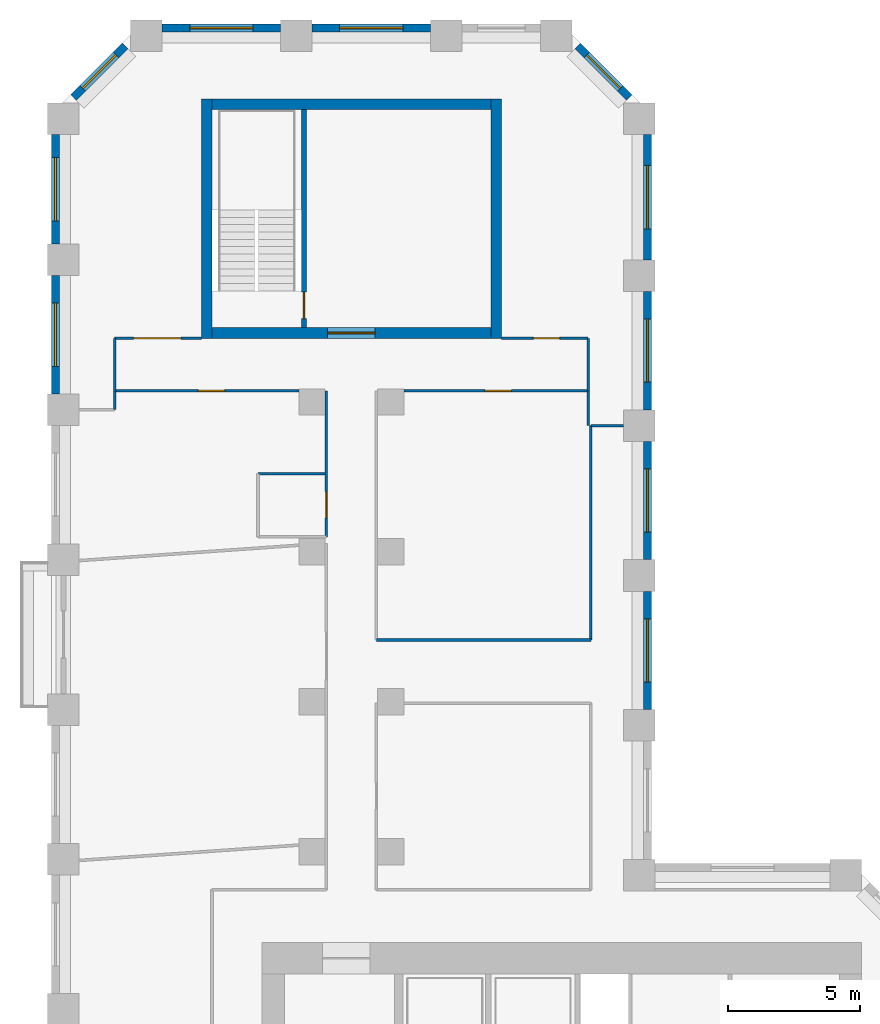
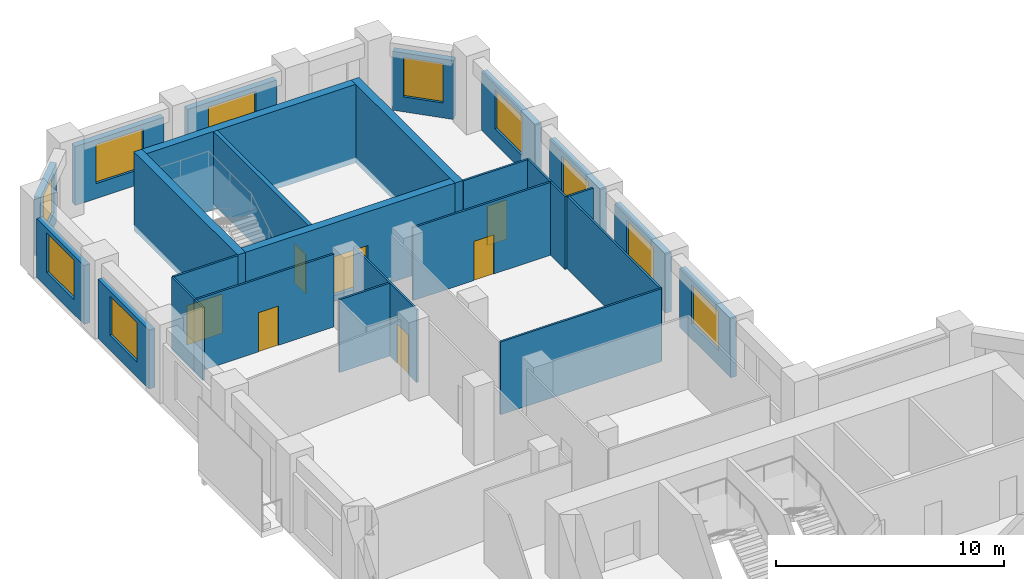
# One storey, part 8 of 10: 28 walls, 10 windows, 7 doors, 17 openings.
"""IFC4 building model written with IfcOpenShell, lengths in metres."""

from ifc_helpers import new_model, si_unit, direction, frame, frame_2d, origin, place, context, subcontext, project, spatial, rectangle, extrude, material, layer, layer_set, type_object, element, fill, save


model = new_model("IFC4")

# Units and contexts
model_context = context("Model", 3, precision=1e-05, world=origin(), true_north=direction((0.0, 1.0)))
body_context = subcontext(model_context, "Body", "Model", "MODEL_VIEW")
ifc_project = project(units=[si_unit("LENGTHUNIT", "METRE"), si_unit("AREAUNIT", "SQUARE_METRE"), si_unit("VOLUMEUNIT", "CUBIC_METRE"), si_unit("PLANEANGLEUNIT", "RADIAN"), si_unit("MASSUNIT", "GRAM", prefix="KILO")], contexts=[model_context])

# Site, building, storey
site_placement = place(None, origin())
site = spatial("IfcSite", under=ifc_project, at=site_placement, CompositionType="ELEMENT")
building_placement = place(site_placement, origin())
building = spatial("IfcBuilding", under=site, at=building_placement, Name="Meshkara Civic Tower", CompositionType="ELEMENT")
storey_placement = place(building_placement, frame((0.0, 0.0, 169.800048828125)))
storey = spatial("IfcBuildingStorey", under=building, at=storey_placement, Name="L38", CompositionType="ELEMENT", Elevation=169.800048828125)

# Wall, opening, door
ifc_material_1 = material(Name="Corridor wall 100")
ifc_layer_1 = layer(ifc_material_1, 0.10009765625)
ifc_layer_set_1 = layer_set([ifc_layer_1], Name="Corridor wall 100")
wall_type_1 = type_object("IfcWallType", Name="Corridor wall 100", PredefinedType="PARTITIONING", material=ifc_layer_set_1)
wall_1_placement = place(storey_placement, frame((2.39990234375, 57.8701171875, 0.0), z_axis=(0.0, 0.0, 1.0), x_axis=(1.0, 0.0, 0.0)))
wall_1 = element("IfcWall", 1, at=wall_1_placement, inside=storey, type_object=wall_type_1, Name="L38-W001", PredefinedType="PARTITIONING", context=body_context, shape_type="SweptSolid", body=[
    extrude(rectangle(XDim=7.0, YDim=0.10009765625, at=frame_2d((3.5, 0.0))), origin(), (0.0, 0.0, 1.0), 3.89990234375),
])
opening_1_placement = place(wall_1_placement, frame((3.179931640625, 0.0, 0.0)))
opening_1 = element("IfcOpeningElement", 2, at=opening_1_placement, cuts=wall_1, Name="Opening L38-D021", PredefinedType="OPENING", context=body_context, shape_type="SweptSolid", body=[
    extrude(rectangle(XDim=1.0, YDim=2.10009765625, at=frame_2d((0.5, 1.050048828125))), frame((0.0, 0.06005859375, 0.0), z_axis=(0.0, -1.0, 0.0), x_axis=(1.0, 0.0, 0.0)), (0.0, 0.0, 1.0), 0.1201171875),
])
ifc_material_2 = material(Name="Door 1000 x 2100")
door_type_1 = type_object("IfcDoorType", Name="Door 1000 x 2100", OperationType="SINGLE_SWING_LEFT", PredefinedType="DOOR", material=ifc_material_2)
door_1_placement = place(opening_1_placement, origin())
door_1 = element("IfcDoor", 3, at=door_1_placement, inside=storey, type_object=door_type_1, Name="L38-D021", OperationType="SINGLE_SWING_LEFT", OverallHeight=2.10009765625, OverallWidth=1.0, PredefinedType="DOOR", context=body_context, shape_type="SweptSolid", body=[
    extrude(rectangle(XDim=1.0, YDim=2.10009765625, at=frame_2d((0.5, 1.050048828125))), frame((0.0, 0.02490234375, 0.0), z_axis=(0.0, -1.0, 0.0), x_axis=(1.0, 0.0, 0.0)), (0.0, 0.0, 1.0), 0.050048828125),
])
fill(opening_1, door_1)

# Wall
wall_2_placement = place(storey_placement, frame((2.39990234375, 59.8701171875, 0.0), z_axis=(0.0, 0.0, 1.0), x_axis=(0.0, -1.0, 0.0)))
element("IfcWall", 4, at=wall_2_placement, inside=storey, type_object=wall_type_1, Name="L38-W002", PredefinedType="PARTITIONING", context=body_context, shape_type="SweptSolid", body=[
    extrude(rectangle(XDim=2.0, YDim=0.10009765625, at=frame_2d((1.0, 0.0))), origin(), (0.0, 0.0, 1.0), 3.89990234375),
])

# Wall, opening, door
wall_3_placement = place(storey_placement, frame((5.699951171875, 59.8701171875, 0.0), z_axis=(0.0, 0.0, 1.0), x_axis=(-1.0, 0.0, 0.0)))
wall_3 = element("IfcWall", 5, at=wall_3_placement, inside=storey, type_object=wall_type_1, Name="L38-W003", PredefinedType="PARTITIONING", context=body_context, shape_type="SweptSolid", body=[
    extrude(rectangle(XDim=3.300048828125, YDim=0.10009765625, at=frame_2d((1.64990234375, 0.0))), origin(), (0.0, 0.0, 1.0), 3.89990234375),
])
opening_2_placement = place(wall_3_placement, frame((0.780029296875, 0.0, 0.0)))
opening_2 = element("IfcOpeningElement", 6, at=opening_2_placement, cuts=wall_3, Name="Opening L38-D020", PredefinedType="OPENING", context=body_context, shape_type="SweptSolid", body=[
    extrude(rectangle(XDim=1.800048828125, YDim=2.10009765625, at=frame_2d((0.89990234375, 1.050048828125))), frame((0.0, 0.06005859375, 0.0), z_axis=(0.0, -1.0, 0.0), x_axis=(1.0, 0.0, 0.0)), (0.0, 0.0, 1.0), 0.1201171875),
])
ifc_material_3 = material(Name="Door pair 1800 x 2100")
door_type_2 = type_object("IfcDoorType", Name="Door pair 1800 x 2100", OperationType="SINGLE_SWING_LEFT", PredefinedType="DOOR", material=ifc_material_3)
door_2_placement = place(opening_2_placement, origin())
door_2 = element("IfcDoor", 7, at=door_2_placement, inside=storey, type_object=door_type_2, Name="L38-D020", OperationType="DOUBLE_DOOR_SINGLE_SWING", OverallHeight=2.10009765625, OverallWidth=1.800048828125, PredefinedType="DOOR", context=body_context, shape_type="SweptSolid", body=[
    extrude(rectangle(XDim=1.800048828125, YDim=2.10009765625, at=frame_2d((0.89990234375, 1.050048828125))), frame((0.0, 0.02490234375, 0.0), z_axis=(0.0, -1.0, 0.0), x_axis=(1.0, 0.0, 0.0)), (0.0, 0.0, 1.0), 0.050048828125),
])
fill(opening_2, door_2)

wall_4_placement = place(storey_placement, frame((10.449951171875, 57.8701171875, 0.0), z_axis=(0.0, 0.0, 1.0), x_axis=(0.0, -1.0, 0.0)))
wall_4 = element("IfcWall", 8, at=wall_4_placement, inside=storey, type_object=wall_type_1, Name="L38-W013", PredefinedType="PARTITIONING", context=body_context, shape_type="SweptSolid", body=[
    extrude(rectangle(XDim=5.550048828125, YDim=0.10009765625, at=frame_2d((2.77490234375, 0.0))), origin(), (0.0, 0.0, 1.0), 3.89990234375),
])
opening_3_placement = place(wall_4_placement, frame((3.830078125, 0.0, 0.0)))
opening_3 = element("IfcOpeningElement", 9, at=opening_3_placement, cuts=wall_4, Name="Opening L38-D019", PredefinedType="OPENING", context=body_context, shape_type="SweptSolid", body=[
    extrude(rectangle(XDim=1.0, YDim=2.10009765625, at=frame_2d((0.5, 1.050048828125))), frame((0.0, 0.06005859375, 0.0), z_axis=(0.0, -1.0, 0.0), x_axis=(1.0, 0.0, 0.0)), (0.0, 0.0, 1.0), 0.1201171875),
])
door_3_placement = place(opening_3_placement, origin())
door_3 = element("IfcDoor", 10, at=door_3_placement, inside=storey, type_object=door_type_1, Name="L38-D019", OperationType="SINGLE_SWING_RIGHT", OverallHeight=2.10009765625, OverallWidth=1.0, PredefinedType="DOOR", context=body_context, shape_type="SweptSolid", body=[
    extrude(rectangle(XDim=1.0, YDim=2.10009765625, at=frame_2d((0.5, 1.050048828125))), frame((0.0, 0.02490234375, 0.0), z_axis=(0.0, -1.0, 0.0), x_axis=(1.0, 0.0, 0.0)), (0.0, 0.0, 1.0), 0.050048828125),
])
fill(opening_3, door_3)

wall_5_placement = place(storey_placement, frame((13.39990234375, 57.8701171875, 0.0), z_axis=(0.0, 0.0, 1.0), x_axis=(1.0, 0.0, 0.0)))
wall_5 = element("IfcWall", 11, at=wall_5_placement, inside=storey, type_object=wall_type_1, Name="L38-W018", PredefinedType="PARTITIONING", context=body_context, shape_type="SweptSolid", body=[
    extrude(rectangle(XDim=7.0, YDim=0.10009765625, at=frame_2d((3.5, 0.0))), origin(), (0.0, 0.0, 1.0), 3.89990234375),
])
opening_4_placement = place(wall_5_placement, frame((3.080078125, 0.0, 0.0)))
opening_4 = element("IfcOpeningElement", 12, at=opening_4_placement, cuts=wall_5, Name="Opening L38-D022", PredefinedType="OPENING", context=body_context, shape_type="SweptSolid", body=[
    extrude(rectangle(XDim=1.0, YDim=2.10009765625, at=frame_2d((0.5, 1.050048828125))), frame((0.0, 0.06005859375, 0.0), z_axis=(0.0, -1.0, 0.0), x_axis=(1.0, 0.0, 0.0)), (0.0, 0.0, 1.0), 0.1201171875),
])
door_4_placement = place(opening_4_placement, origin())
door_4 = element("IfcDoor", 13, at=door_4_placement, inside=storey, type_object=door_type_1, Name="L38-D022", OperationType="SINGLE_SWING_LEFT", OverallHeight=2.10009765625, OverallWidth=1.0, PredefinedType="DOOR", context=body_context, shape_type="SweptSolid", body=[
    extrude(rectangle(XDim=1.0, YDim=2.10009765625, at=frame_2d((0.5, 1.050048828125))), frame((0.0, 0.02490234375, 0.0), z_axis=(0.0, -1.0, 0.0), x_axis=(1.0, 0.0, 0.0)), (0.0, 0.0, 1.0), 0.050048828125),
])
fill(opening_4, door_4)

# Wall
wall_6_placement = place(storey_placement, frame((20.39990234375, 57.8701171875, 0.0), z_axis=(0.0, 0.0, 1.0), x_axis=(0.0, 1.0, 0.0)))
element("IfcWall", 14, at=wall_6_placement, inside=storey, type_object=wall_type_1, Name="L38-W019", PredefinedType="PARTITIONING", context=body_context, shape_type="SweptSolid", body=[
    extrude(rectangle(XDim=2.0, YDim=0.10009765625, at=frame_2d((1.0, 0.0))), origin(), (0.0, 0.0, 1.0), 3.89990234375),
])

# Wall, opening, door
wall_7_placement = place(storey_placement, frame((20.39990234375, 59.8701171875, 0.0), z_axis=(0.0, 0.0, 1.0), x_axis=(-1.0, 0.0, 0.0)))
wall_7 = element("IfcWall", 15, at=wall_7_placement, inside=storey, type_object=wall_type_1, Name="L38-W020", PredefinedType="PARTITIONING", context=body_context, shape_type="SweptSolid", body=[
    extrude(rectangle(XDim=3.2998046875, YDim=0.10009765625, at=frame_2d((1.64990234375, 0.0))), origin(), (0.0, 0.0, 1.0), 3.89990234375),
])
opening_5_placement = place(wall_7_placement, frame((1.080078125, 0.0, 0.0)))
opening_5 = element("IfcOpeningElement", 16, at=opening_5_placement, cuts=wall_7, Name="Opening L38-D023", PredefinedType="OPENING", context=body_context, shape_type="SweptSolid", body=[
    extrude(rectangle(XDim=1.0, YDim=2.10009765625, at=frame_2d((0.5, 1.050048828125))), frame((0.0, 0.06005859375, 0.0), z_axis=(0.0, -1.0, 0.0), x_axis=(1.0, 0.0, 0.0)), (0.0, 0.0, 1.0), 0.1201171875),
])
door_5_placement = place(opening_5_placement, origin())
door_5 = element("IfcDoor", 17, at=door_5_placement, inside=storey, type_object=door_type_1, Name="L38-D023", OperationType="SINGLE_SWING_RIGHT", OverallHeight=2.10009765625, OverallWidth=1.0, PredefinedType="DOOR", context=body_context, shape_type="SweptSolid", body=[
    extrude(rectangle(XDim=1.0, YDim=2.10009765625, at=frame_2d((0.5, 1.050048828125))), frame((0.0, 0.02490234375, 0.0), z_axis=(0.0, -1.0, 0.0), x_axis=(1.0, 0.0, 0.0)), (0.0, 0.0, 1.0), 0.050048828125),
])
fill(opening_5, door_5)

# Walls
wall_8_placement = place(storey_placement, frame((20.5, 48.39990234375, 0.0), z_axis=(0.0, 0.0, 1.0), x_axis=(-1.0, 0.0, 0.0)))
element("IfcWall", 18, at=wall_8_placement, inside=storey, type_object=wall_type_1, Name="L38-W023", PredefinedType="PARTITIONING", context=body_context, shape_type="SweptSolid", body=[
    extrude(rectangle(XDim=8.14990234375, YDim=0.10009765625, at=frame_2d((4.074951171875, 0.0))), origin(), (0.0, 0.0, 1.0), 3.89990234375),
])
wall_9_placement = place(storey_placement, frame((20.5, 56.550048828125, 0.0), z_axis=(0.0, 0.0, 1.0), x_axis=(0.0, -1.0, 0.0)))
element("IfcWall", 19, at=wall_9_placement, inside=storey, type_object=wall_type_1, Name="L38-W024", PredefinedType="PARTITIONING", context=body_context, shape_type="SweptSolid", body=[
    extrude(rectangle(XDim=8.150146484375, YDim=0.10009765625, at=frame_2d((4.0751953125, 0.0))), origin(), (0.0, 0.0, 1.0), 3.89990234375),
])
wall_10_placement = place(storey_placement, frame((21.75, 56.550048828125, 0.0), z_axis=(0.0, 0.0, 1.0), x_axis=(-1.0, 0.0, 0.0)))
element("IfcWall", 20, at=wall_10_placement, inside=storey, type_object=wall_type_1, Name="L38-W025", PredefinedType="PARTITIONING", context=body_context, shape_type="SweptSolid", body=[
    extrude(rectangle(XDim=1.25, YDim=0.10009765625, at=frame_2d((0.625, 0.0))), origin(), (0.0, 0.0, 1.0), 3.89990234375),
])

# Wall, opening, window
ifc_material_4 = material(Name="Insulated infill panel with bronze anodised aluminium cladding", Category="aluminium")
ifc_layer_2 = layer(ifc_material_4, 0.300048828125)
ifc_layer_set_2 = layer_set([ifc_layer_2], Name="EXTERNAL INFILL WALL 300")
wall_type_2 = type_object("IfcWallType", Name="EXTERNAL INFILL WALL 300", PredefinedType="SOLIDWALL", material=ifc_layer_set_2)
wall_11_placement = place(storey_placement, frame((22.64990234375, 45.75, 0.0), z_axis=(0.0, 0.0, 1.0), x_axis=(0.0, 1.0, 0.0)))
wall_11 = element("IfcWall", 21, at=wall_11_placement, inside=storey, type_object=wall_type_2, Name="External wall", PredefinedType="SOLIDWALL", context=body_context, shape_type="SweptSolid", body=[
    extrude(rectangle(XDim=4.5, YDim=0.300048828125, at=frame_2d((2.25, 0.0))), origin(), (0.0, 0.0, 1.0), 3.14990234375),
])
opening_6_placement = place(wall_11_placement, frame((1.050048828125, 0.0, 0.800048828125)))
opening_6 = element("IfcOpeningElement", 22, at=opening_6_placement, cuts=wall_11, Name="Opening W7", PredefinedType="OPENING", context=body_context, shape_type="SweptSolid", body=[
    extrude(rectangle(XDim=2.39990234375, YDim=2.10009765625, at=frame_2d((1.199951171875, 1.050048828125))), frame((0.0, 0.159912109375, 0.0), z_axis=(0.0, -1.0, 0.0), x_axis=(1.0, 0.0, 0.0)), (0.0, 0.0, 1.0), 0.320068359375),
])
ifc_material_5 = material(Name="Tinted double glazing", Category="glass")
window_type_1 = type_object("IfcWindowType", Name="WINDOW 2400x2100", PartitioningType="DOUBLE_PANEL_VERTICAL", PredefinedType="WINDOW", material=ifc_material_5)
window_1_placement = place(opening_6_placement, origin())
window_1 = element("IfcWindow", 23, at=window_1_placement, inside=storey, type_object=window_type_1, Name="Window", OverallHeight=2.10009765625, OverallWidth=2.39990234375, PartitioningType="DOUBLE_PANEL_VERTICAL", PredefinedType="WINDOW", context=body_context, shape_type="SweptSolid", body=[
    extrude(rectangle(XDim=2.39990234375, YDim=2.10009765625, at=frame_2d((1.199951171875, 1.050048828125))), frame((0.0, 0.030029296875, 0.0), z_axis=(0.0, -1.0, 0.0), x_axis=(1.0, 0.0, 0.0)), (0.0, 0.0, 1.0), 0.06005859375),
])
fill(opening_6, window_1)

wall_12_placement = place(storey_placement, frame((22.64990234375, 51.449951171875, 0.0), z_axis=(0.0, 0.0, 1.0), x_axis=(0.0, 1.0, 0.0)))
wall_12 = element("IfcWall", 24, at=wall_12_placement, inside=storey, type_object=wall_type_2, Name="External wall", PredefinedType="SOLIDWALL", context=body_context, shape_type="SweptSolid", body=[
    extrude(rectangle(XDim=4.5, YDim=0.300048828125, at=frame_2d((2.25, 0.0))), origin(), (0.0, 0.0, 1.0), 3.14990234375),
])
opening_7_placement = place(wall_12_placement, frame((1.050048828125, 0.0, 0.800048828125)))
opening_7 = element("IfcOpeningElement", 25, at=opening_7_placement, cuts=wall_12, Name="Opening W7", PredefinedType="OPENING", context=body_context, shape_type="SweptSolid", body=[
    extrude(rectangle(XDim=2.39990234375, YDim=2.10009765625, at=frame_2d((1.199951171875, 1.050048828125))), frame((0.0, 0.159912109375, 0.0), z_axis=(0.0, -1.0, 0.0), x_axis=(1.0, 0.0, 0.0)), (0.0, 0.0, 1.0), 0.320068359375),
])
window_2_placement = place(opening_7_placement, origin())
window_2 = element("IfcWindow", 26, at=window_2_placement, inside=storey, type_object=window_type_1, Name="Window", OverallHeight=2.10009765625, OverallWidth=2.39990234375, PartitioningType="DOUBLE_PANEL_VERTICAL", PredefinedType="WINDOW", context=body_context, shape_type="SweptSolid", body=[
    extrude(rectangle(XDim=2.39990234375, YDim=2.10009765625, at=frame_2d((1.199951171875, 1.050048828125))), frame((0.0, 0.030029296875, 0.0), z_axis=(0.0, -1.0, 0.0), x_axis=(1.0, 0.0, 0.0)), (0.0, 0.0, 1.0), 0.06005859375),
])
fill(opening_7, window_2)

wall_13_placement = place(storey_placement, frame((22.64990234375, 57.14990234375, 0.0), z_axis=(0.0, 0.0, 1.0), x_axis=(0.0, 1.0, 0.0)))
wall_13 = element("IfcWall", 27, at=wall_13_placement, inside=storey, type_object=wall_type_2, Name="External wall", PredefinedType="SOLIDWALL", context=body_context, shape_type="SweptSolid", body=[
    extrude(rectangle(XDim=4.5, YDim=0.300048828125, at=frame_2d((2.25, 0.0))), origin(), (0.0, 0.0, 1.0), 3.14990234375),
])
opening_8_placement = place(wall_13_placement, frame((1.050048828125, 0.0, 0.800048828125)))
opening_8 = element("IfcOpeningElement", 28, at=opening_8_placement, cuts=wall_13, Name="Opening W7", PredefinedType="OPENING", context=body_context, shape_type="SweptSolid", body=[
    extrude(rectangle(XDim=2.39990234375, YDim=2.10009765625, at=frame_2d((1.199951171875, 1.050048828125))), frame((0.0, 0.159912109375, 0.0), z_axis=(0.0, -1.0, 0.0), x_axis=(1.0, 0.0, 0.0)), (0.0, 0.0, 1.0), 0.320068359375),
])
window_3_placement = place(opening_8_placement, origin())
window_3 = element("IfcWindow", 29, at=window_3_placement, inside=storey, type_object=window_type_1, Name="Window", OverallHeight=2.10009765625, OverallWidth=2.39990234375, PartitioningType="DOUBLE_PANEL_VERTICAL", PredefinedType="WINDOW", context=body_context, shape_type="SweptSolid", body=[
    extrude(rectangle(XDim=2.39990234375, YDim=2.10009765625, at=frame_2d((1.199951171875, 1.050048828125))), frame((0.0, 0.030029296875, 0.0), z_axis=(0.0, -1.0, 0.0), x_axis=(1.0, 0.0, 0.0)), (0.0, 0.0, 1.0), 0.06005859375),
])
fill(opening_8, window_3)

wall_14_placement = place(storey_placement, frame((22.64990234375, 62.85009765625, 0.0), z_axis=(0.0, 0.0, 1.0), x_axis=(0.0, 1.0, 0.0)))
wall_14 = element("IfcWall", 30, at=wall_14_placement, inside=storey, type_object=wall_type_2, Name="External wall", PredefinedType="SOLIDWALL", context=body_context, shape_type="SweptSolid", body=[
    extrude(rectangle(XDim=4.763916015625, YDim=0.300048828125, at=frame_2d((2.3818359375, 0.0))), origin(), (0.0, 0.0, 1.0), 3.14990234375),
])
opening_9_placement = place(wall_14_placement, frame((1.181884765625, 0.0, 0.800048828125)))
opening_9 = element("IfcOpeningElement", 31, at=opening_9_placement, cuts=wall_14, Name="Opening W7", PredefinedType="OPENING", context=body_context, shape_type="SweptSolid", body=[
    extrude(rectangle(XDim=2.39990234375, YDim=2.10009765625, at=frame_2d((1.199951171875, 1.050048828125))), frame((0.0, 0.159912109375, 0.0), z_axis=(0.0, -1.0, 0.0), x_axis=(1.0, 0.0, 0.0)), (0.0, 0.0, 1.0), 0.320068359375),
])
window_4_placement = place(opening_9_placement, origin())
window_4 = element("IfcWindow", 32, at=window_4_placement, inside=storey, type_object=window_type_1, Name="Window", OverallHeight=2.10009765625, OverallWidth=2.39990234375, PartitioningType="DOUBLE_PANEL_VERTICAL", PredefinedType="WINDOW", context=body_context, shape_type="SweptSolid", body=[
    extrude(rectangle(XDim=2.39990234375, YDim=2.10009765625, at=frame_2d((1.199951171875, 1.050048828125))), frame((0.0, 0.030029296875, 0.0), z_axis=(0.0, -1.0, 0.0), x_axis=(1.0, 0.0, 0.0)), (0.0, 0.0, 1.0), 0.06005859375),
])
fill(opening_9, window_4)

wall_15_placement = place(storey_placement, frame((21.9619140625, 69.02587890625, 0.0), z_axis=(0.0, 0.0, 1.0), x_axis=(-0.707062649074, 0.707150910545, 0.0)))
wall_15 = element("IfcWall", 33, at=wall_15_placement, inside=storey, type_object=wall_type_2, Name="External wall", PredefinedType="SOLIDWALL", context=body_context, shape_type="SweptSolid", body=[
    extrude(rectangle(XDim=2.76611328125, YDim=0.300048828125, at=frame_2d((1.383056640625, 0.0))), origin(), (0.0, 0.0, 1.0), 3.14990234375),
])
opening_10_placement = place(wall_15_placement, frame((0.48291015625, 0.0, 0.800048828125)))
opening_10 = element("IfcOpeningElement", 34, at=opening_10_placement, cuts=wall_15, Name="Opening W9", PredefinedType="OPENING", context=body_context, shape_type="SweptSolid", body=[
    extrude(rectangle(XDim=1.800048828125, YDim=2.10009765625, at=frame_2d((0.89990234375, 1.050048828125))), frame((0.0, 0.159912109375, 0.0), z_axis=(0.0, -1.0, 0.0), x_axis=(1.0, 0.0, 0.0)), (0.0, 0.0, 1.0), 0.320068359375),
])
ifc_material_6 = material(Name="Tinted double glazing", Category="glass")
window_type_2 = type_object("IfcWindowType", Name="WINDOW 1800x2100", PartitioningType="DOUBLE_PANEL_VERTICAL", PredefinedType="WINDOW", material=ifc_material_6)
window_5_placement = place(opening_10_placement, origin())
window_5 = element("IfcWindow", 35, at=window_5_placement, inside=storey, type_object=window_type_2, Name="Window", OverallHeight=2.10009765625, OverallWidth=1.800048828125, PartitioningType="DOUBLE_PANEL_VERTICAL", PredefinedType="WINDOW", context=body_context, shape_type="SweptSolid", body=[
    extrude(rectangle(XDim=1.800048828125, YDim=2.10009765625, at=frame_2d((0.89990234375, 1.050048828125))), frame((0.0, 0.030029296875, 0.0), z_axis=(0.0, -1.0, 0.0), x_axis=(1.0, 0.0, 0.0)), (0.0, 0.0, 1.0), 0.06005859375),
])
fill(opening_10, window_5)

wall_16_placement = place(storey_placement, frame((14.406005859375, 71.669921875, 0.0), z_axis=(0.0, 0.0, 1.0), x_axis=(-1.0, 0.0, 0.0)))
wall_16 = element("IfcWall", 36, at=wall_16_placement, inside=storey, type_object=wall_type_2, Name="External wall", PredefinedType="SOLIDWALL", context=body_context, shape_type="SweptSolid", body=[
    extrude(rectangle(XDim=4.5, YDim=0.300048828125, at=frame_2d((2.25, 0.0))), origin(), (0.0, 0.0, 1.0), 3.14990234375),
])
opening_11_placement = place(wall_16_placement, frame((1.050048828125, 0.0, 0.800048828125)))
opening_11 = element("IfcOpeningElement", 37, at=opening_11_placement, cuts=wall_16, Name="Opening W7", PredefinedType="OPENING", context=body_context, shape_type="SweptSolid", body=[
    extrude(rectangle(XDim=2.39990234375, YDim=2.10009765625, at=frame_2d((1.199951171875, 1.050048828125))), frame((0.0, 0.159912109375, 0.0), z_axis=(0.0, -1.0, 0.0), x_axis=(1.0, 0.0, 0.0)), (0.0, 0.0, 1.0), 0.320068359375),
])
window_6_placement = place(opening_11_placement, origin())
window_6 = element("IfcWindow", 38, at=window_6_placement, inside=storey, type_object=window_type_1, Name="Window", OverallHeight=2.10009765625, OverallWidth=2.39990234375, PartitioningType="DOUBLE_PANEL_VERTICAL", PredefinedType="WINDOW", context=body_context, shape_type="SweptSolid", body=[
    extrude(rectangle(XDim=2.39990234375, YDim=2.10009765625, at=frame_2d((1.199951171875, 1.050048828125))), frame((0.0, 0.030029296875, 0.0), z_axis=(0.0, -1.0, 0.0), x_axis=(1.0, 0.0, 0.0)), (0.0, 0.0, 1.0), 0.06005859375),
])
fill(opening_11, window_6)

wall_17_placement = place(storey_placement, frame((8.7060546875, 71.669921875, 0.0), z_axis=(0.0, 0.0, 1.0), x_axis=(-1.0, 0.0, 0.0)))
wall_17 = element("IfcWall", 39, at=wall_17_placement, inside=storey, type_object=wall_type_2, Name="External wall", PredefinedType="SOLIDWALL", context=body_context, shape_type="SweptSolid", body=[
    extrude(rectangle(XDim=4.5, YDim=0.300048828125, at=frame_2d((2.25, 0.0))), origin(), (0.0, 0.0, 1.0), 3.14990234375),
])
opening_12_placement = place(wall_17_placement, frame((1.050048828125, 0.0, 0.800048828125)))
opening_12 = element("IfcOpeningElement", 40, at=opening_12_placement, cuts=wall_17, Name="Opening W7", PredefinedType="OPENING", context=body_context, shape_type="SweptSolid", body=[
    extrude(rectangle(XDim=2.39990234375, YDim=2.10009765625, at=frame_2d((1.199951171875, 1.050048828125))), frame((0.0, 0.159912109375, 0.0), z_axis=(0.0, -1.0, 0.0), x_axis=(1.0, 0.0, 0.0)), (0.0, 0.0, 1.0), 0.320068359375),
])
window_7_placement = place(opening_12_placement, origin())
window_7 = element("IfcWindow", 41, at=window_7_placement, inside=storey, type_object=window_type_1, Name="Window", OverallHeight=2.10009765625, OverallWidth=2.39990234375, PartitioningType="DOUBLE_PANEL_VERTICAL", PredefinedType="WINDOW", context=body_context, shape_type="SweptSolid", body=[
    extrude(rectangle(XDim=2.39990234375, YDim=2.10009765625, at=frame_2d((1.199951171875, 1.050048828125))), frame((0.0, 0.030029296875, 0.0), z_axis=(0.0, -1.0, 0.0), x_axis=(1.0, 0.0, 0.0)), (0.0, 0.0, 1.0), 0.06005859375),
])
fill(opening_12, window_7)

wall_18_placement = place(storey_placement, frame((2.7939453125, 70.98193359375, 0.0), z_axis=(0.0, 0.0, 1.0), x_axis=(-0.707106781187, -0.707106781187, 0.0)))
wall_18 = element("IfcWall", 42, at=wall_18_placement, inside=storey, type_object=wall_type_2, Name="External wall", PredefinedType="SOLIDWALL", context=body_context, shape_type="SweptSolid", body=[
    extrude(rectangle(XDim=2.766357421875, YDim=0.300048828125, at=frame_2d((1.38330078125, 0.0))), origin(), (0.0, 0.0, 1.0), 3.14990234375),
])
opening_13_placement = place(wall_18_placement, frame((0.48291015625, 0.0, 0.800048828125)))
opening_13 = element("IfcOpeningElement", 43, at=opening_13_placement, cuts=wall_18, Name="Opening W9", PredefinedType="OPENING", context=body_context, shape_type="SweptSolid", body=[
    extrude(rectangle(XDim=1.800048828125, YDim=2.10009765625, at=frame_2d((0.89990234375, 1.050048828125))), frame((0.0, 0.159912109375, 0.0), z_axis=(0.0, -1.0, 0.0), x_axis=(1.0, 0.0, 0.0)), (0.0, 0.0, 1.0), 0.320068359375),
])
window_8_placement = place(opening_13_placement, origin())
window_8 = element("IfcWindow", 44, at=window_8_placement, inside=storey, type_object=window_type_2, Name="Window", OverallHeight=2.10009765625, OverallWidth=1.800048828125, PartitioningType="DOUBLE_PANEL_VERTICAL", PredefinedType="WINDOW", context=body_context, shape_type="SweptSolid", body=[
    extrude(rectangle(XDim=1.800048828125, YDim=2.10009765625, at=frame_2d((0.89990234375, 1.050048828125))), frame((0.0, 0.030029296875, 0.0), z_axis=(0.0, -1.0, 0.0), x_axis=(1.0, 0.0, 0.0)), (0.0, 0.0, 1.0), 0.06005859375),
])
fill(opening_13, window_8)

wall_19_placement = place(storey_placement, frame((0.14990234375, 67.614013671875, 0.0), z_axis=(0.0, 0.0, 1.0), x_axis=(0.0, -1.0, 0.0)))
wall_19 = element("IfcWall", 45, at=wall_19_placement, inside=storey, type_object=wall_type_2, Name="External wall", PredefinedType="SOLIDWALL", context=body_context, shape_type="SweptSolid", body=[
    extrude(rectangle(XDim=4.158935546875, YDim=0.300048828125, at=frame_2d((2.07958984375, 0.0))), origin(), (0.0, 0.0, 1.0), 3.14990234375),
])
opening_14_placement = place(wall_19_placement, frame((0.8798828125, 0.0, 0.800048828125)))
opening_14 = element("IfcOpeningElement", 46, at=opening_14_placement, cuts=wall_19, Name="Opening W7", PredefinedType="OPENING", context=body_context, shape_type="SweptSolid", body=[
    extrude(rectangle(XDim=2.39990234375, YDim=2.10009765625, at=frame_2d((1.199951171875, 1.050048828125))), frame((0.0, 0.159912109375, 0.0), z_axis=(0.0, -1.0, 0.0), x_axis=(1.0, 0.0, 0.0)), (0.0, 0.0, 1.0), 0.320068359375),
])
window_9_placement = place(opening_14_placement, origin())
window_9 = element("IfcWindow", 47, at=window_9_placement, inside=storey, type_object=window_type_1, Name="Window", OverallHeight=2.10009765625, OverallWidth=2.39990234375, PartitioningType="DOUBLE_PANEL_VERTICAL", PredefinedType="WINDOW", context=body_context, shape_type="SweptSolid", body=[
    extrude(rectangle(XDim=2.39990234375, YDim=2.10009765625, at=frame_2d((1.199951171875, 1.050048828125))), frame((0.0, 0.030029296875, 0.0), z_axis=(0.0, -1.0, 0.0), x_axis=(1.0, 0.0, 0.0)), (0.0, 0.0, 1.0), 0.06005859375),
])
fill(opening_14, window_9)

wall_20_placement = place(storey_placement, frame((0.14990234375, 62.2548828125, 0.0), z_axis=(0.0, 0.0, 1.0), x_axis=(0.0, -1.0, 0.0)))
wall_20 = element("IfcWall", 48, at=wall_20_placement, inside=storey, type_object=wall_type_2, Name="External wall", PredefinedType="SOLIDWALL", context=body_context, shape_type="SweptSolid", body=[
    extrude(rectangle(XDim=4.5, YDim=0.300048828125, at=frame_2d((2.25, 0.0))), origin(), (0.0, 0.0, 1.0), 3.14990234375),
])
opening_15_placement = place(wall_20_placement, frame((1.050048828125, 0.0, 0.800048828125)))
opening_15 = element("IfcOpeningElement", 49, at=opening_15_placement, cuts=wall_20, Name="Opening W7", PredefinedType="OPENING", context=body_context, shape_type="SweptSolid", body=[
    extrude(rectangle(XDim=2.39990234375, YDim=2.10009765625, at=frame_2d((1.199951171875, 1.050048828125))), frame((0.0, 0.159912109375, 0.0), z_axis=(0.0, -1.0, 0.0), x_axis=(1.0, 0.0, 0.0)), (0.0, 0.0, 1.0), 0.320068359375),
])
window_10_placement = place(opening_15_placement, origin())
window_10 = element("IfcWindow", 50, at=window_10_placement, inside=storey, type_object=window_type_1, Name="Window", OverallHeight=2.10009765625, OverallWidth=2.39990234375, PartitioningType="DOUBLE_PANEL_VERTICAL", PredefinedType="WINDOW", context=body_context, shape_type="SweptSolid", body=[
    extrude(rectangle(XDim=2.39990234375, YDim=2.10009765625, at=frame_2d((1.199951171875, 1.050048828125))), frame((0.0, 0.030029296875, 0.0), z_axis=(0.0, -1.0, 0.0), x_axis=(1.0, 0.0, 0.0)), (0.0, 0.0, 1.0), 0.06005859375),
])
fill(opening_15, window_10)

# Walls
ifc_material_7 = material(Name="Concrete C70", Category="concrete")
ifc_layer_3 = layer(ifc_material_7, 0.39990234375)
ifc_layer_set_3 = layer_set([ifc_layer_3], Name="End core ring wall 400 C70")
wall_type_3 = type_object("IfcWallType", Name="End core ring wall 400 C70", PredefinedType="SHEAR", material=ifc_layer_set_3)
for number, where, z_axis, x_axis, name in (
    (51, (5.89990234375, 59.8701171875, -0.300048828125), (0.0, 0.0, 1.0), (0.0, 1.0, 0.0), "L38-C022"),
    (52, (16.89990234375, 59.8701171875, -0.300048828125), (0.0, 0.0, 1.0), (0.0, 1.0, 0.0), "L38-C023"),
):
    element("IfcWall", number, at=place(storey_placement, frame(where, z_axis=z_axis, x_axis=x_axis)), inside=storey, type_object=wall_type_3, Name=name, PredefinedType="SHEAR", context=body_context, shape_type="SweptSolid", body=[
        extrude(rectangle(XDim=9.099853515625, YDim=0.39990234375, at=frame_2d((4.5498046875, 0.0))), origin(), (0.0, 0.0, 1.0), 4.199951171875),
    ])

# Wall, opening, door
wall_21_placement = place(storey_placement, frame((6.10009765625, 60.070068359375, -0.300048828125), z_axis=(0.0, 0.0, 1.0), x_axis=(1.0, 0.0, 0.0)))
wall_21 = element("IfcWall", 53, at=wall_21_placement, inside=storey, type_object=wall_type_3, Name="L38-C024", PredefinedType="SHEAR", context=body_context, shape_type="SweptSolid", body=[
    extrude(rectangle(XDim=10.599853515625, YDim=0.39990234375, at=frame_2d((5.2998046875, 0.0))), origin(), (0.0, 0.0, 1.0), 4.199951171875),
])
opening_16_placement = place(wall_21_placement, frame((4.39990234375, 0.0, 0.300048828125)))
opening_16 = element("IfcOpeningElement", 54, at=opening_16_placement, cuts=wall_21, Name="Opening L38-K102", PredefinedType="OPENING", context=body_context, shape_type="SweptSolid", body=[
    extrude(rectangle(XDim=1.800048828125, YDim=2.10009765625, at=frame_2d((0.89990234375, 1.050048828125))), frame((0.0, 0.2099609375, 0.0), z_axis=(0.0, -1.0, 0.0), x_axis=(1.0, 0.0, 0.0)), (0.0, 0.0, 1.0), 0.419921875),
])
ifc_material_8 = material(Name="Fire-rated door leaf in steel frame", Category="steel")
door_type_3 = type_object("IfcDoorType", Name="Core double door 1800 EI 60", OperationType="DOUBLE_DOOR_SINGLE_SWING", PredefinedType="DOOR", material=ifc_material_8)
door_6_placement = place(opening_16_placement, origin())
door_6 = element("IfcDoor", 55, at=door_6_placement, inside=storey, type_object=door_type_3, Name="L38-K102", OperationType="DOUBLE_DOOR_SINGLE_SWING", OverallHeight=2.10009765625, OverallWidth=1.800048828125, PredefinedType="DOOR", context=body_context, shape_type="SweptSolid", body=[
    extrude(rectangle(XDim=1.800048828125, YDim=2.10009765625, at=frame_2d((0.89990234375, 1.050048828125))), frame((0.0, 0.02490234375, 0.0), z_axis=(0.0, -1.0, 0.0), x_axis=(1.0, 0.0, 0.0)), (0.0, 0.0, 1.0), 0.050048828125),
])
fill(opening_16, door_6)

# Walls
wall_22_placement = place(storey_placement, frame((6.10009765625, 68.77001953125, -0.300048828125), z_axis=(0.0, 0.0, 1.0), x_axis=(1.0, 0.0, 0.0)))
element("IfcWall", 56, at=wall_22_placement, inside=storey, type_object=wall_type_3, Name="L38-C025", PredefinedType="SHEAR", context=body_context, shape_type="SweptSolid", body=[
    extrude(rectangle(XDim=10.599853515625, YDim=0.39990234375, at=frame_2d((5.2998046875, 0.0))), origin(), (0.0, 0.0, 1.0), 4.199951171875),
])
ifc_material_9 = material(Name="Partition 100")
ifc_layer_4 = layer(ifc_material_9, 0.10009765625)
ifc_layer_set_4 = layer_set([ifc_layer_4], Name="Partition 100")
wall_type_4 = type_object("IfcWallType", Name="Partition 100", PredefinedType="PARTITIONING", material=ifc_layer_set_4)
wall_23_placement = place(storey_placement, frame((2.39990234375, 57.8740234375, 0.0), z_axis=(0.0, 0.0, 1.0), x_axis=(0.0, -1.0, 0.0)))
element("IfcWall", 57, at=wall_23_placement, inside=storey, type_object=wall_type_4, Name="L38-W040", PredefinedType="PARTITIONING", context=body_context, shape_type="SweptSolid", body=[
    extrude(rectangle(XDim=0.718994140625, YDim=0.10009765625, at=frame_2d((0.359375, 0.0))), origin(), (0.0, 0.0, 1.0), 3.89990234375),
])
wall_24_placement = place(storey_placement, frame((7.85009765625, 54.719970703125, 0.0), z_axis=(0.0, 0.0, 1.0), x_axis=(1.0, 0.0, 0.0)))
element("IfcWall", 58, at=wall_24_placement, inside=storey, type_object=wall_type_4, Name="L38-W044", PredefinedType="PARTITIONING", context=body_context, shape_type="SweptSolid", body=[
    extrude(rectangle(XDim=2.5498046875, YDim=0.10009765625, at=frame_2d((1.27490234375, 0.0))), origin(), (0.0, 0.0, 1.0), 3.89990234375),
])
wall_25_placement = place(storey_placement, frame((20.39990234375, 56.550048828125, 0.0), z_axis=(0.0, 0.0, 1.0), x_axis=(0.0, 1.0, 0.0)))
element("IfcWall", 59, at=wall_25_placement, inside=storey, type_object=wall_type_4, Name="L38-W051", PredefinedType="PARTITIONING", context=body_context, shape_type="SweptSolid", body=[
    extrude(rectangle(XDim=1.323974609375, YDim=0.10009765625, at=frame_2d((0.662109375, 0.0))), origin(), (0.0, 0.0, 1.0), 3.89990234375),
])

# Wall, opening, door
ifc_material_10 = material(Name="Concrete C40/50", Category="concrete")
ifc_layer_5 = layer(ifc_material_10, 0.199951171875)
ifc_layer_set_5 = layer_set([ifc_layer_5], Name="Stair enclosure wall 200 C40/50")
wall_type_5 = type_object("IfcWallType", Name="Stair enclosure wall 200 C40/50", PredefinedType="SOLIDWALL", material=ifc_layer_set_5)
wall_26_placement = place(storey_placement, frame((9.60009765625, 60.27001953125, 0.0), z_axis=(0.0, 0.0, 1.0), x_axis=(0.0, 1.0, 0.0)))
wall_26 = element("IfcWall", 60, at=wall_26_placement, inside=storey, type_object=wall_type_5, Name="L38-C026", PredefinedType="SOLIDWALL", context=body_context, shape_type="SweptSolid", body=[
    extrude(rectangle(XDim=8.300048828125, YDim=0.199951171875, at=frame_2d((4.14990234375, 0.0))), origin(), (0.0, 0.0, 1.0), 3.89990234375),
])
opening_17_placement = place(wall_26_placement, frame((0.35009765625, 0.0, 0.0)))
opening_17 = element("IfcOpeningElement", 61, at=opening_17_placement, cuts=wall_26, Name="Opening L38-K101", PredefinedType="OPENING", context=body_context, shape_type="SweptSolid", body=[
    extrude(rectangle(XDim=1.0, YDim=2.10009765625, at=frame_2d((0.5, 1.050048828125))), frame((0.0, 0.10986328125, 0.0), z_axis=(0.0, -1.0, 0.0), x_axis=(1.0, 0.0, 0.0)), (0.0, 0.0, 1.0), 0.219970703125),
])
ifc_material_11 = material(Name="Fire-rated door leaf in steel frame", Category="steel")
door_type_4 = type_object("IfcDoorType", Name="Stair door 1000 EI 120", OperationType="SINGLE_SWING_LEFT", PredefinedType="DOOR", material=ifc_material_11)
door_7_placement = place(opening_17_placement, origin())
door_7 = element("IfcDoor", 62, at=door_7_placement, inside=storey, type_object=door_type_4, Name="L38-K101", OperationType="SINGLE_SWING_RIGHT", OverallHeight=2.10009765625, OverallWidth=1.0, PredefinedType="DOOR", context=body_context, shape_type="SweptSolid", body=[
    extrude(rectangle(XDim=1.0, YDim=2.10009765625, at=frame_2d((0.5, 1.050048828125))), frame((0.0, 0.02490234375, 0.0), z_axis=(0.0, -1.0, 0.0), x_axis=(1.0, 0.0, 0.0)), (0.0, 0.0, 1.0), 0.050048828125),
])
fill(opening_17, door_7)

save(model, "model.ifc")
